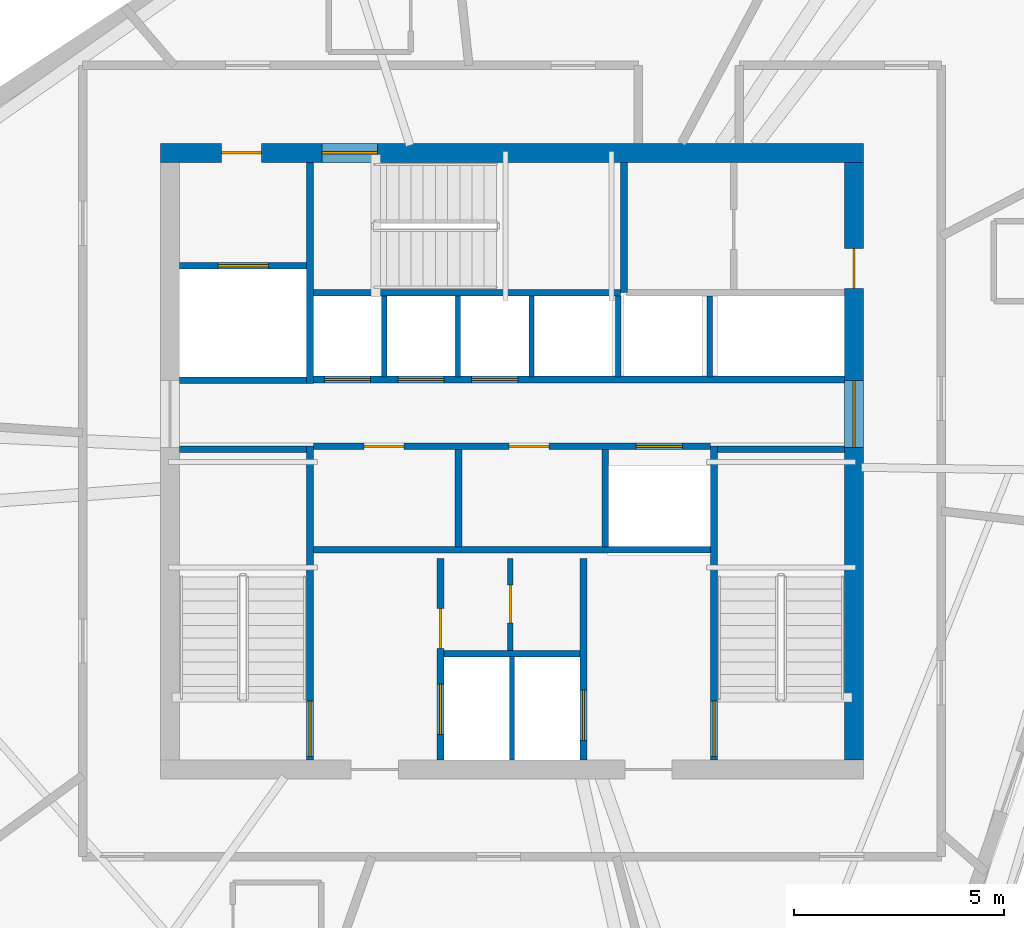
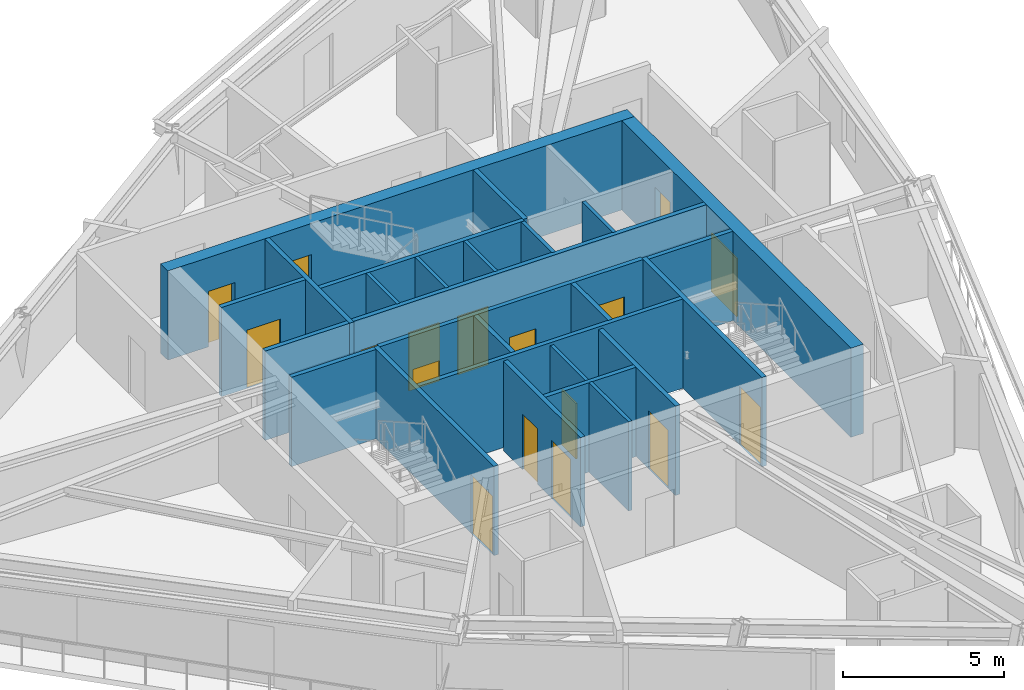
# One storey, part 9 of 14: 26 walls, 17 doors, 17 openings.
"""IFC4 building model written with IfcOpenShell, lengths in metres."""

from ifc_helpers import new_model, si_unit, direction, frame, frame_2d, origin, place, context, subcontext, project, spatial, rectangle, extrude, source, transform, mapped, material, layer, layer_set, type_object, type_shapes, element, fill, save


model = new_model("IFC4")

# Units and contexts
model_context = context("Model", 3, precision=1e-05, world=origin(), true_north=direction((0.0, 1.0)))
body_context = subcontext(model_context, "Body", "Model", "MODEL_VIEW")
ifc_project = project(units=[si_unit("LENGTHUNIT", "METRE"), si_unit("AREAUNIT", "SQUARE_METRE"), si_unit("VOLUMEUNIT", "CUBIC_METRE"), si_unit("PLANEANGLEUNIT", "RADIAN"), si_unit("MASSUNIT", "GRAM", prefix="KILO")], contexts=[model_context])

# Site, building, storey
site_placement = place(None, origin())
site = spatial("IfcSite", under=ifc_project, at=site_placement, CompositionType="ELEMENT")
building_placement = place(site_placement, origin())
building = spatial("IfcBuilding", under=site, at=building_placement, Name="Olszyna Solenne Hotel", CompositionType="ELEMENT")
storey_placement = place(building_placement, frame((0.0, 0.0, 252.5)))
storey = spatial("IfcBuildingStorey", under=building, at=storey_placement, Name="L67", CompositionType="ELEMENT", Elevation=252.5)

# Wall, openings, doors
ifc_material_1 = material(Name="Concrete C50/60", Category="concrete")
ifc_layer_1 = layer(ifc_material_1, 0.449951171875, Name="Concrete C50/60")
ifc_layer_set_1 = layer_set([ifc_layer_1], Name="Concrete C50/60")
wall_type_1 = type_object("IfcWallType", Name="WL-CR450", PredefinedType="SHEAR", material=ifc_layer_set_1)
wall_1_placement = place(storey_placement, frame((29.64990234375, 33.925048828125, 0.0), z_axis=(0.0, 0.0, 1.0), x_axis=(1.0, 0.0, 0.0)))
wall_1 = element("IfcWall", 1, at=wall_1_placement, inside=storey, type_object=wall_type_1, Name="Core shear wall WL-CR450 CRW-L67-N", PredefinedType="SHEAR", context=body_context, shape_type="SweptSolid", body=[
    extrude(rectangle(XDim=16.7001953125, YDim=0.449951171875, at=frame_2d((8.35009765625, 0.0))), origin(), (0.0, 0.0, 1.0), 3.3798828125),
])
opening_1_placement = place(wall_1_placement, frame((1.449951171875, 0.0, 0.0)))
opening_1 = element("IfcOpeningElement", 2, at=opening_1_placement, cuts=wall_1, Name="Opening SVD-L67-01", PredefinedType="OPENING", context=body_context, shape_type="SweptSolid", body=[
    extrude(rectangle(XDim=0.949951171875, YDim=2.10009765625, at=frame_2d((0.47509765625, 1.050048828125))), frame((0.0, 0.23486328125, 0.0), z_axis=(0.0, -1.0, 0.0), x_axis=(1.0, 0.0, 0.0)), (0.0, 0.0, 1.0), 0.469970703125),
])
opening_2_placement = place(wall_1_placement, frame((3.830078125, 0.0, 0.0)))
opening_2 = element("IfcOpeningElement", 3, at=opening_2_placement, cuts=wall_1, Name="Opening STD-L67-03", PredefinedType="OPENING", context=body_context, shape_type="SweptSolid", body=[
    extrude(rectangle(XDim=1.320068359375, YDim=2.199951171875, at=frame_2d((0.66015625, 1.10009765625))), frame((0.0, 0.23486328125, 0.0), z_axis=(0.0, -1.0, 0.0), x_axis=(1.0, 0.0, 0.0)), (0.0, 0.0, 1.0), 0.469970703125),
])
ifc_material_2 = material(Name="Steel S355J2", Category="steel")
door_type_1 = type_object("IfcDoorType", Name="DR-ST1", OperationType="NOTDEFINED", PredefinedType="DOOR", material=ifc_material_2)
shared_shape_1 = source(origin(), body_context, "Body", "SweptSolid", [
    extrude(rectangle(XDim=1.320068359375, YDim=2.199951171875, at=frame_2d((0.66015625, 1.10009765625))), frame((0.0, 0.02490234375, 0.0), z_axis=(0.0, -1.0, 0.0), x_axis=(1.0, 0.0, 0.0)), (0.0, 0.0, 1.0), 0.050048828125),
])
type_shapes(door_type_1, [shared_shape_1])
door_1_placement = place(opening_2_placement, origin())
door_1 = element("IfcDoor", 4, at=door_1_placement, inside=storey, type_object=door_type_1, Name="Pressurised exit stair ST3 fire door STD-L67-03", OperationType="SINGLE_SWING_RIGHT", OverallHeight=2.199951171875, OverallWidth=1.320068359375, PredefinedType="DOOR", context=body_context, shape_type="MappedRepresentation", body=[
    mapped(shared_shape_1, transform((0.0, 0.0, 0.0), x_axis=(1.0, 0.0, 0.0), y_axis=(0.0, 1.0, 0.0), z_axis=(0.0, 0.0, 1.0), scale=1.0)),
])
fill(opening_2, door_1)
door_type_2 = type_object("IfcDoorType", Name="DR-SV1", OperationType="NOTDEFINED", PredefinedType="DOOR", material=ifc_material_2)
shared_shape_2 = source(origin(), body_context, "Body", "SweptSolid", [
    extrude(rectangle(XDim=0.949951171875, YDim=2.10009765625, at=frame_2d((0.47509765625, 1.050048828125))), frame((0.0, 0.02490234375, 0.0), z_axis=(0.0, -1.0, 0.0), x_axis=(1.0, 0.0, 0.0)), (0.0, 0.0, 1.0), 0.050048828125),
])
type_shapes(door_type_2, [shared_shape_2])
door_2_placement = place(opening_1_placement, origin())
door_2 = element("IfcDoor", 5, at=door_2_placement, inside=storey, type_object=door_type_2, Name="Service lift lobby fire door SVD-L67-01", OperationType="SINGLE_SWING_LEFT", OverallHeight=2.10009765625, OverallWidth=0.949951171875, PredefinedType="DOOR", context=body_context, shape_type="MappedRepresentation", body=[
    mapped(shared_shape_2, transform((0.0, 0.0, 0.0), x_axis=(1.0, 0.0, 0.0), y_axis=(0.0, 1.0, 0.0), z_axis=(0.0, 0.0, 1.0), scale=1.0)),
])
fill(opening_1, door_2)

wall_2_placement = place(storey_placement, frame((46.125, 33.699951171875, 0.0), z_axis=(0.0, 0.0, 1.0), x_axis=(0.0, -1.0, 0.0)))
wall_2 = element("IfcWall", 6, at=wall_2_placement, inside=storey, type_object=wall_type_1, Name="Core shear wall WL-CR450 CRW-L67-E", PredefinedType="SHEAR", context=body_context, shape_type="SweptSolid", body=[
    extrude(rectangle(XDim=14.199951171875, YDim=0.449951171875, at=frame_2d((7.10009765625, 0.0))), origin(), (0.0, 0.0, 1.0), 3.3798828125),
])
opening_3_placement = place(wall_2_placement, frame((5.179931640625, 0.0, 0.0)))
opening_3 = element("IfcOpeningElement", 7, at=opening_3_placement, cuts=wall_2, Name="Opening LHD-L67-E", PredefinedType="OPENING", context=body_context, shape_type="SweptSolid", body=[
    extrude(rectangle(XDim=1.60009765625, YDim=2.199951171875, at=frame_2d((0.800048828125, 1.10009765625))), frame((0.0, 0.23486328125, 0.0), z_axis=(0.0, -1.0, 0.0), x_axis=(1.0, 0.0, 0.0)), (0.0, 0.0, 1.0), 0.469970703125),
])
opening_4_placement = place(wall_2_placement, frame((2.050048828125, 0.0, 0.0)))
opening_4 = element("IfcOpeningElement", 8, at=opening_4_placement, cuts=wall_2, Name="Opening SVD-L67-BE", PredefinedType="OPENING", context=body_context, shape_type="SweptSolid", body=[
    extrude(rectangle(XDim=0.949951171875, YDim=2.10009765625, at=frame_2d((0.47509765625, 1.050048828125))), frame((0.0, 0.23486328125, 0.0), z_axis=(0.0, -1.0, 0.0), x_axis=(1.0, 0.0, 0.0)), (0.0, 0.0, 1.0), 0.469970703125),
])
door_3_placement = place(opening_4_placement, origin())
door_3 = element("IfcDoor", 9, at=door_3_placement, inside=storey, type_object=door_type_2, Name="Housekeeping core fire door SVD-L67-BE", OperationType="SINGLE_SWING_RIGHT", OverallHeight=2.10009765625, OverallWidth=0.949951171875, PredefinedType="DOOR", context=body_context, shape_type="MappedRepresentation", body=[
    mapped(shared_shape_2, transform((0.0, 0.0, 0.0), x_axis=(1.0, 0.0, 0.0), y_axis=(0.0, 1.0, 0.0), z_axis=(0.0, 0.0, 1.0), scale=1.0)),
])
fill(opening_4, door_3)
ifc_material_3 = material(Name="Timber hardwood", Category="wood")
door_type_3 = type_object("IfcDoorType", Name="DR-CR1", OperationType="DOUBLE_DOOR_SINGLE_SWING", PredefinedType="DOOR", material=ifc_material_3)
shared_shape_3 = source(origin(), body_context, "Body", "SweptSolid", [
    extrude(rectangle(XDim=1.60009765625, YDim=2.199951171875, at=frame_2d((0.800048828125, 1.10009765625))), frame((0.0, 0.02490234375, 0.0), z_axis=(0.0, -1.0, 0.0), x_axis=(1.0, 0.0, 0.0)), (0.0, 0.0, 1.0), 0.050048828125),
])
type_shapes(door_type_3, [shared_shape_3])
door_4_placement = place(opening_3_placement, origin())
door_4 = element("IfcDoor", 10, at=door_4_placement, inside=storey, type_object=door_type_3, Name="Passenger lift lobby East fire door LHD-L67-E", OperationType="DOUBLE_DOOR_SINGLE_SWING", OverallHeight=2.199951171875, OverallWidth=1.60009765625, PredefinedType="DOOR", context=body_context, shape_type="MappedRepresentation", body=[
    mapped(shared_shape_3, transform((0.0, 0.0, 0.0), x_axis=(1.0, 0.0, 0.0), y_axis=(0.0, 1.0, 0.0), z_axis=(0.0, 0.0, 1.0), scale=1.0)),
])
fill(opening_3, door_4)

# Wall
ifc_material_4 = material(Name="Acoustic gypsum partition", Category="gypsum")
ifc_layer_2 = layer(ifc_material_4, 0.125, Name="Acoustic gypsum partition")
ifc_layer_set_2 = layer_set([ifc_layer_2], Name="Acoustic gypsum partition")
wall_type_2 = type_object("IfcWallType", Name="WL-PT125", PredefinedType="PARTITIONING", material=ifc_layer_set_2)
wall_3_placement = place(storey_placement, frame((38.0, 19.5, 0.0), z_axis=(0.0, 0.0, 1.0), x_axis=(0.0, 1.0, 0.0)))
element("IfcWall", 11, at=wall_3_placement, inside=storey, type_object=wall_type_2, Name="Core shaft compartment wall CW-L67-FFM", PredefinedType="PARTITIONING", context=body_context, shape_type="SweptSolid", body=[
    extrude(rectangle(XDim=2.4599609375, YDim=0.125, at=frame_2d((1.22998046875, 0.0))), origin(), (0.0, 0.0, 1.0), 3.3798828125),
])

# Wall, opening, door
wall_4_placement = place(storey_placement, frame((37.9599609375, 22.10009765625, 0.0), z_axis=(0.0, 0.0, 1.0), x_axis=(0.0, 1.0, 0.0)))
wall_4 = element("IfcWall", 12, at=wall_4_placement, inside=storey, type_object=wall_type_2, Name="Core shaft compartment wall CW-L67-SC1", PredefinedType="PARTITIONING", context=body_context, shape_type="SweptSolid", body=[
    extrude(rectangle(XDim=2.179931640625, YDim=0.125, at=frame_2d((1.08984375, 0.0))), origin(), (0.0, 0.0, 1.0), 3.3798828125),
])
opening_5_placement = place(wall_4_placement, frame((0.64990234375, 0.0, 0.0)))
opening_5 = element("IfcOpeningElement", 13, at=opening_5_placement, cuts=wall_4, Name="Opening SVD-L67-SC1", PredefinedType="OPENING", context=body_context, shape_type="SweptSolid", body=[
    extrude(rectangle(XDim=0.89990234375, YDim=2.10009765625, at=frame_2d((0.449951171875, 1.050048828125))), frame((0.0, 0.072509765625, 0.0), z_axis=(0.0, -1.0, 0.0), x_axis=(1.0, 0.0, 0.0)), (0.0, 0.0, 1.0), 0.14501953125),
])
door_type_4 = type_object("IfcDoorType", Name="DR-WC1", OperationType="NOTDEFINED", PredefinedType="DOOR", material=ifc_material_3)
shared_shape_4 = source(origin(), body_context, "Body", "SweptSolid", [
    extrude(rectangle(XDim=0.89990234375, YDim=2.10009765625, at=frame_2d((0.449951171875, 1.050048828125))), frame((0.0, 0.02490234375, 0.0), z_axis=(0.0, -1.0, 0.0), x_axis=(1.0, 0.0, 0.0)), (0.0, 0.0, 1.0), 0.050048828125),
])
type_shapes(door_type_4, [shared_shape_4])
door_5_placement = place(opening_5_placement, origin())
door_5 = element("IfcDoor", 14, at=door_5_placement, inside=storey, type_object=door_type_4, Name="Pantry locker door SVD-L67-SC1", OperationType="SINGLE_SWING_LEFT", OverallHeight=2.10009765625, OverallWidth=0.89990234375, PredefinedType="DOOR", context=body_context, shape_type="MappedRepresentation", body=[
    mapped(shared_shape_4, transform((0.0, 0.0, 0.0), x_axis=(1.0, 0.0, 0.0), y_axis=(0.0, 1.0, 0.0), z_axis=(0.0, 0.0, 1.0), scale=1.0)),
])
fill(opening_5, door_5)

# Walls
for number, where, z_axis, x_axis, name in (
    (15, (34.965087890625, 28.60009765625, 0.0), (0.0, 0.0, 1.0), (0.0, 1.0, 0.0), "Core shaft compartment wall CW-L67-DIVN349"),
    (16, (36.715087890625, 28.60009765625, 0.0), (0.0, 0.0, 1.0), (0.0, 1.0, 0.0), "Core shaft compartment wall CW-L67-DIVN367"),
    (17, (38.465087890625, 28.60009765625, 0.0), (0.0, 0.0, 1.0), (0.0, 1.0, 0.0), "Core shaft compartment wall CW-L67-DIVN384"),
    (18, (40.52490234375, 28.60009765625, 0.0), (0.0, 0.0, 1.0), (0.0, 1.0, 0.0), "Core shaft compartment wall CW-L67-DIVEX405"),
    (19, (42.699951171875, 28.60009765625, 0.0), (0.0, 0.0, 1.0), (0.0, 1.0, 0.0), "Core shaft compartment wall CW-L67-DIVEX427"),
):
    element("IfcWall", number, at=place(storey_placement, frame(where, z_axis=z_axis, x_axis=x_axis)), inside=storey, type_object=wall_type_2, Name=name, PredefinedType="PARTITIONING", context=body_context, shape_type="SweptSolid", body=[
        extrude(rectangle(XDim=1.919921875, YDim=0.125, at=frame_2d((0.9599609375, 0.0))), origin(), (0.0, 0.0, 1.0), 3.3798828125),
    ])

# Wall, opening, door
ifc_layer_3 = layer(ifc_material_4, 0.159912109375, Name="Acoustic gypsum partition")
ifc_layer_set_3 = layer_set([ifc_layer_3], Name="Acoustic gypsum partition")
wall_type_3 = type_object("IfcWallType", Name="WL-PT160", PredefinedType="PARTITIONING", material=ifc_layer_set_3)
wall_5_placement = place(storey_placement, frame((33.199951171875, 19.5, 0.0), z_axis=(0.0, 0.0, 1.0), x_axis=(0.0, 1.0, 0.0)))
wall_5 = element("IfcWall", 20, at=wall_5_placement, inside=storey, type_object=wall_type_3, Name="Core shaft compartment wall CW-L67-ST1E", PredefinedType="PARTITIONING", context=body_context, shape_type="SweptSolid", body=[
    extrude(rectangle(XDim=7.4599609375, YDim=0.159912109375, at=frame_2d((3.72998046875, 0.0))), origin(), (0.0, 0.0, 1.0), 3.3798828125),
])
opening_6_placement = place(wall_5_placement, frame((0.080078125, 0.0, 0.0)))
opening_6 = element("IfcOpeningElement", 21, at=opening_6_placement, cuts=wall_5, Name="Opening STD-L67-01", PredefinedType="OPENING", context=body_context, shape_type="SweptSolid", body=[
    extrude(rectangle(XDim=1.320068359375, YDim=2.199951171875, at=frame_2d((0.66015625, 1.10009765625))), frame((0.0, 0.08984375, 0.0), z_axis=(0.0, -1.0, 0.0), x_axis=(1.0, 0.0, 0.0)), (0.0, 0.0, 1.0), 0.179931640625),
])
door_6_placement = place(opening_6_placement, origin())
door_6 = element("IfcDoor", 22, at=door_6_placement, inside=storey, type_object=door_type_1, Name="Pressurised exit stair ST1 fire door STD-L67-01", OperationType="SINGLE_SWING_LEFT", OverallHeight=2.199951171875, OverallWidth=1.320068359375, PredefinedType="DOOR", context=body_context, shape_type="MappedRepresentation", body=[
    mapped(shared_shape_1, transform((0.0, 0.0, 0.0), x_axis=(1.0, 0.0, 0.0), y_axis=(0.0, 1.0, 0.0), z_axis=(0.0, 0.0, 1.0), scale=1.0)),
])
fill(opening_6, door_6)

# Wall
wall_6_placement = place(storey_placement, frame((30.10009765625, 26.8798828125, 0.0), z_axis=(0.0, 0.0, 1.0), x_axis=(1.0, 0.0, 0.0)))
element("IfcWall", 23, at=wall_6_placement, inside=storey, type_object=wall_type_3, Name="Core shaft compartment wall CW-L67-ST1N", PredefinedType="PARTITIONING", context=body_context, shape_type="SweptSolid", body=[
    extrude(rectangle(XDim=3.02001953125, YDim=0.159912109375, at=frame_2d((1.510009765625, 0.0))), origin(), (0.0, 0.0, 1.0), 3.3798828125),
])

# Wall, opening, door
wall_7_placement = place(storey_placement, frame((42.800048828125, 26.9599609375, 0.0), z_axis=(0.0, 0.0, 1.0), x_axis=(0.0, -1.0, 0.0)))
wall_7 = element("IfcWall", 24, at=wall_7_placement, inside=storey, type_object=wall_type_3, Name="Core shaft compartment wall CW-L67-ST2W", PredefinedType="PARTITIONING", context=body_context, shape_type="SweptSolid", body=[
    extrude(rectangle(XDim=7.4599609375, YDim=0.159912109375, at=frame_2d((3.72998046875, 0.0))), origin(), (0.0, 0.0, 1.0), 3.3798828125),
])
opening_7_placement = place(wall_7_placement, frame((6.06005859375, 0.0, 0.0)))
opening_7 = element("IfcOpeningElement", 25, at=opening_7_placement, cuts=wall_7, Name="Opening STD-L67-02", PredefinedType="OPENING", context=body_context, shape_type="SweptSolid", body=[
    extrude(rectangle(XDim=1.320068359375, YDim=2.199951171875, at=frame_2d((0.66015625, 1.10009765625))), frame((0.0, 0.08984375, 0.0), z_axis=(0.0, -1.0, 0.0), x_axis=(1.0, 0.0, 0.0)), (0.0, 0.0, 1.0), 0.179931640625),
])
door_7_placement = place(opening_7_placement, origin())
door_7 = element("IfcDoor", 26, at=door_7_placement, inside=storey, type_object=door_type_1, Name="Pressurised exit stair ST2 fire door STD-L67-02", OperationType="SINGLE_SWING_RIGHT", OverallHeight=2.199951171875, OverallWidth=1.320068359375, PredefinedType="DOOR", context=body_context, shape_type="MappedRepresentation", body=[
    mapped(shared_shape_1, transform((0.0, 0.0, 0.0), x_axis=(1.0, 0.0, 0.0), y_axis=(0.0, 1.0, 0.0), z_axis=(0.0, 0.0, 1.0), scale=1.0)),
])
fill(opening_7, door_7)

# Walls
wall_8_placement = place(storey_placement, frame((42.8798828125, 26.8798828125, 0.0), z_axis=(0.0, 0.0, 1.0), x_axis=(1.0, 0.0, 0.0)))
element("IfcWall", 27, at=wall_8_placement, inside=storey, type_object=wall_type_3, Name="Core shaft compartment wall CW-L67-ST2N", PredefinedType="PARTITIONING", context=body_context, shape_type="SweptSolid", body=[
    extrude(rectangle(XDim=3.02001953125, YDim=0.159912109375, at=frame_2d((1.510009765625, 0.0))), origin(), (0.0, 0.0, 1.0), 3.3798828125),
])
wall_9_placement = place(storey_placement, frame((33.280029296875, 30.60009765625, 0.0), z_axis=(0.0, 0.0, 1.0), x_axis=(1.0, 0.0, 0.0)))
element("IfcWall", 28, at=wall_9_placement, inside=storey, type_object=wall_type_3, Name="Core shaft compartment wall CW-L67-ST3S", PredefinedType="PARTITIONING", context=body_context, shape_type="SweptSolid", body=[
    extrude(rectangle(XDim=7.300048828125, YDim=0.159912109375, at=frame_2d((3.64990234375, 0.0))), origin(), (0.0, 0.0, 1.0), 3.3798828125),
])
wall_10_placement = place(storey_placement, frame((40.659912109375, 30.60009765625, 0.0), z_axis=(0.0, 0.0, 1.0), x_axis=(0.0, 1.0, 0.0)))
element("IfcWall", 29, at=wall_10_placement, inside=storey, type_object=wall_type_3, Name="Core shaft compartment wall CW-L67-ST3E", PredefinedType="PARTITIONING", context=body_context, shape_type="SweptSolid", body=[
    extrude(rectangle(XDim=3.099853515625, YDim=0.159912109375, at=frame_2d((1.5498046875, 0.0))), origin(), (0.0, 0.0, 1.0), 3.3798828125),
])

# Wall, openings, doors
wall_11_placement = place(storey_placement, frame((36.300048828125, 19.5, 0.0), z_axis=(0.0, 0.0, 1.0), x_axis=(0.0, 1.0, 0.0)))
wall_11 = element("IfcWall", 30, at=wall_11_placement, inside=storey, type_object=wall_type_3, Name="Core shaft compartment wall CW-L67-FF1W", PredefinedType="PARTITIONING", context=body_context, shape_type="SweptSolid", body=[
    extrude(rectangle(XDim=4.780029296875, YDim=0.159912109375, at=frame_2d((2.39013671875, 0.0))), origin(), (0.0, 0.0, 1.0), 3.3798828125),
])
opening_8_placement = place(wall_11_placement, frame((0.60009765625, 0.0, 0.0)))
opening_8 = element("IfcOpeningElement", 31, at=opening_8_placement, cuts=wall_11, Name="Opening LD-L67-FF1", PredefinedType="OPENING", context=body_context, shape_type="SweptSolid", body=[
    extrude(rectangle(XDim=1.199951171875, YDim=2.199951171875, at=frame_2d((0.60009765625, 1.10009765625))), frame((0.0, 0.08984375, 0.0), z_axis=(0.0, -1.0, 0.0), x_axis=(1.0, 0.0, 0.0)), (0.0, 0.0, 1.0), 0.179931640625),
])
opening_9_placement = place(wall_11_placement, frame((2.64990234375, 0.0, 0.0)))
opening_9 = element("IfcOpeningElement", 32, at=opening_9_placement, cuts=wall_11, Name="Opening SVD-L67-SMK", PredefinedType="OPENING", context=body_context, shape_type="SweptSolid", body=[
    extrude(rectangle(XDim=0.949951171875, YDim=2.10009765625, at=frame_2d((0.47509765625, 1.050048828125))), frame((0.0, 0.08984375, 0.0), z_axis=(0.0, -1.0, 0.0), x_axis=(1.0, 0.0, 0.0)), (0.0, 0.0, 1.0), 0.179931640625),
])
door_8_placement = place(opening_9_placement, origin())
door_8 = element("IfcDoor", 33, at=door_8_placement, inside=storey, type_object=door_type_2, Name="Valet and core service room door SVD-L67-SMK", OperationType="SINGLE_SWING_LEFT", OverallHeight=2.10009765625, OverallWidth=0.949951171875, PredefinedType="DOOR", context=body_context, shape_type="MappedRepresentation", body=[
    mapped(shared_shape_2, transform((0.0, 0.0, 0.0), x_axis=(1.0, 0.0, 0.0), y_axis=(0.0, 1.0, 0.0), z_axis=(0.0, 0.0, 1.0), scale=1.0)),
])
fill(opening_9, door_8)
door_type_5 = type_object("IfcDoorType", Name="LD-FF1", OperationType="DOUBLE_DOOR_SLIDING", PredefinedType="DOOR", material=ifc_material_2)
shared_shape_5 = source(origin(), body_context, "Body", "SweptSolid", [
    extrude(rectangle(XDim=1.199951171875, YDim=2.199951171875, at=frame_2d((0.60009765625, 1.10009765625))), frame((0.0, 0.02490234375, 0.0), z_axis=(0.0, -1.0, 0.0), x_axis=(1.0, 0.0, 0.0)), (0.0, 0.0, 1.0), 0.050048828125),
])
type_shapes(door_type_5, [shared_shape_5])
door_9_placement = place(opening_8_placement, origin())
door_9 = element("IfcDoor", 34, at=door_9_placement, inside=storey, type_object=door_type_5, Name="Firefighters lift FF1 sliding landing door LD-L67-FF1", OperationType="DOUBLE_DOOR_SLIDING", OverallHeight=2.199951171875, OverallWidth=1.199951171875, PredefinedType="DOOR", context=body_context, shape_type="MappedRepresentation", body=[
    mapped(shared_shape_5, transform((0.0, 0.0, 0.0), x_axis=(1.0, 0.0, 0.0), y_axis=(0.0, 1.0, 0.0), z_axis=(0.0, 0.0, 1.0), scale=1.0)),
])
fill(opening_8, door_9)

# Wall, opening, door
wall_12_placement = place(storey_placement, frame((39.699951171875, 24.280029296875, 0.0), z_axis=(0.0, 0.0, 1.0), x_axis=(0.0, -1.0, 0.0)))
wall_12 = element("IfcWall", 35, at=wall_12_placement, inside=storey, type_object=wall_type_3, Name="Core shaft compartment wall CW-L67-FF2E", PredefinedType="PARTITIONING", context=body_context, shape_type="SweptSolid", body=[
    extrude(rectangle(XDim=4.780029296875, YDim=0.159912109375, at=frame_2d((2.39013671875, 0.0))), origin(), (0.0, 0.0, 1.0), 3.3798828125),
])
opening_10_placement = place(wall_12_placement, frame((3.1201171875, 0.0, 0.0)))
opening_10 = element("IfcOpeningElement", 36, at=opening_10_placement, cuts=wall_12, Name="Opening LD-L67-FF2", PredefinedType="OPENING", context=body_context, shape_type="SweptSolid", body=[
    extrude(rectangle(XDim=1.199951171875, YDim=2.199951171875, at=frame_2d((0.60009765625, 1.10009765625))), frame((0.0, 0.08984375, 0.0), z_axis=(0.0, -1.0, 0.0), x_axis=(1.0, 0.0, 0.0)), (0.0, 0.0, 1.0), 0.179931640625),
])
door_10_placement = place(opening_10_placement, origin())
door_10 = element("IfcDoor", 37, at=door_10_placement, inside=storey, type_object=door_type_5, Name="Firefighters lift FF2 sliding landing door LD-L67-FF2", OperationType="DOUBLE_DOOR_SLIDING", OverallHeight=2.199951171875, OverallWidth=1.199951171875, PredefinedType="DOOR", context=body_context, shape_type="MappedRepresentation", body=[
    mapped(shared_shape_5, transform((0.0, 0.0, 0.0), x_axis=(1.0, 0.0, 0.0), y_axis=(0.0, 1.0, 0.0), z_axis=(0.0, 0.0, 1.0), scale=1.0)),
])
fill(opening_10, door_10)

# Walls
wall_13_placement = place(storey_placement, frame((36.3798828125, 22.02001953125, 0.0), z_axis=(0.0, 0.0, 1.0), x_axis=(1.0, 0.0, 0.0)))
element("IfcWall", 38, at=wall_13_placement, inside=storey, type_object=wall_type_3, Name="Core shaft compartment wall CW-L67-FFN", PredefinedType="PARTITIONING", context=body_context, shape_type="SweptSolid", body=[
    extrude(rectangle(XDim=3.240234375, YDim=0.159912109375, at=frame_2d((1.6201171875, 0.0))), origin(), (0.0, 0.0, 1.0), 3.3798828125),
])
wall_14_placement = place(storey_placement, frame((33.280029296875, 24.489990234375, 0.0), z_axis=(0.0, 0.0, 1.0), x_axis=(1.0, 0.0, 0.0)))
element("IfcWall", 39, at=wall_14_placement, inside=storey, type_object=wall_type_3, Name="Core shaft compartment wall CW-L67-FFBN", PredefinedType="PARTITIONING", context=body_context, shape_type="SweptSolid", body=[
    extrude(rectangle(XDim=9.43994140625, YDim=0.159912109375, at=frame_2d((4.719970703125, 0.0))), origin(), (0.0, 0.0, 1.0), 3.3798828125),
])
wall_15_placement = place(storey_placement, frame((30.10009765625, 28.52001953125, 0.0), z_axis=(0.0, 0.0, 1.0), x_axis=(1.0, 0.0, 0.0)))
element("IfcWall", 40, at=wall_15_placement, inside=storey, type_object=wall_type_3, Name="Core shaft compartment wall CW-L67-SV1S", PredefinedType="PARTITIONING", context=body_context, shape_type="SweptSolid", body=[
    extrude(rectangle(XDim=3.02001953125, YDim=0.159912109375, at=frame_2d((1.510009765625, 0.0))), origin(), (0.0, 0.0, 1.0), 3.3798828125),
])
wall_16_placement = place(storey_placement, frame((33.199951171875, 28.43994140625, 0.0), z_axis=(0.0, 0.0, 1.0), x_axis=(0.0, 1.0, 0.0)))
element("IfcWall", 41, at=wall_16_placement, inside=storey, type_object=wall_type_3, Name="Core shaft compartment wall CW-L67-SV1E", PredefinedType="PARTITIONING", context=body_context, shape_type="SweptSolid", body=[
    extrude(rectangle(XDim=5.260009765625, YDim=0.159912109375, at=frame_2d((2.6298828125, 0.0))), origin(), (0.0, 0.0, 1.0), 3.3798828125),
])

# Wall, opening, door
wall_17_placement = place(storey_placement, frame((30.10009765625, 31.239990234375, 0.0), z_axis=(0.0, 0.0, 1.0), x_axis=(1.0, 0.0, 0.0)))
wall_17 = element("IfcWall", 42, at=wall_17_placement, inside=storey, type_object=wall_type_3, Name="Core shaft compartment wall CW-L67-SV1N", PredefinedType="PARTITIONING", context=body_context, shape_type="SweptSolid", body=[
    extrude(rectangle(XDim=3.02001953125, YDim=0.159912109375, at=frame_2d((1.510009765625, 0.0))), origin(), (0.0, 0.0, 1.0), 3.3798828125),
])
opening_11_placement = place(wall_17_placement, frame((0.909912109375, 0.0, 0.0)))
opening_11 = element("IfcOpeningElement", 43, at=opening_11_placement, cuts=wall_17, Name="Opening LD-L67-SV1", PredefinedType="OPENING", context=body_context, shape_type="SweptSolid", body=[
    extrude(rectangle(XDim=1.199951171875, YDim=2.199951171875, at=frame_2d((0.60009765625, 1.10009765625))), frame((0.0, 0.08984375, 0.0), z_axis=(0.0, -1.0, 0.0), x_axis=(1.0, 0.0, 0.0)), (0.0, 0.0, 1.0), 0.179931640625),
])
door_11_placement = place(opening_11_placement, origin())
door_11 = element("IfcDoor", 44, at=door_11_placement, inside=storey, type_object=door_type_5, Name="Service lift SV1 sliding landing door LD-L67-SV1", OperationType="DOUBLE_DOOR_SLIDING", OverallHeight=2.199951171875, OverallWidth=1.199951171875, PredefinedType="DOOR", context=body_context, shape_type="MappedRepresentation", body=[
    mapped(shared_shape_5, transform((0.0, 0.0, 0.0), x_axis=(1.0, 0.0, 0.0), y_axis=(0.0, 1.0, 0.0), z_axis=(0.0, 0.0, 1.0), scale=1.0)),
])
fill(opening_11, door_11)

# Wall, openings, doors
wall_18_placement = place(storey_placement, frame((33.280029296875, 26.949951171875, 0.0), z_axis=(0.0, 0.0, 1.0), x_axis=(1.0, 0.0, 0.0)))
wall_18 = element("IfcWall", 45, at=wall_18_placement, inside=storey, type_object=wall_type_3, Name="Core shaft compartment wall CW-L67-LRS", PredefinedType="PARTITIONING", context=body_context, shape_type="SweptSolid", body=[
    extrude(rectangle(XDim=9.43994140625, YDim=0.159912109375, at=frame_2d((4.719970703125, 0.0))), origin(), (0.0, 0.0, 1.0), 3.3798828125),
])
opening_12_placement = place(wall_18_placement, frame((1.199951171875, 0.0, 0.0)))
opening_12 = element("IfcOpeningElement", 46, at=opening_12_placement, cuts=wall_18, Name="Opening SVD-L67-L71", PredefinedType="OPENING", context=body_context, shape_type="SweptSolid", body=[
    extrude(rectangle(XDim=0.949951171875, YDim=2.10009765625, at=frame_2d((0.47509765625, 1.050048828125))), frame((0.0, 0.08984375, 0.0), z_axis=(0.0, -1.0, 0.0), x_axis=(1.0, 0.0, 0.0)), (0.0, 0.0, 1.0), 0.179931640625),
])
opening_13_placement = place(wall_18_placement, frame((4.64990234375, 0.0, 0.0)))
opening_13 = element("IfcOpeningElement", 47, at=opening_13_placement, cuts=wall_18, Name="Opening SVD-L67-L72", PredefinedType="OPENING", context=body_context, shape_type="SweptSolid", body=[
    extrude(rectangle(XDim=0.949951171875, YDim=2.10009765625, at=frame_2d((0.47509765625, 1.050048828125))), frame((0.0, 0.08984375, 0.0), z_axis=(0.0, -1.0, 0.0), x_axis=(1.0, 0.0, 0.0)), (0.0, 0.0, 1.0), 0.179931640625),
])
opening_14_placement = place(wall_18_placement, frame((7.669921875, 0.0, 0.0)))
opening_14 = element("IfcOpeningElement", 48, at=opening_14_placement, cuts=wall_18, Name="Opening LD-L67-PL5", PredefinedType="OPENING", context=body_context, shape_type="SweptSolid", body=[
    extrude(rectangle(XDim=1.10009765625, YDim=2.199951171875, at=frame_2d((0.550048828125, 1.10009765625))), frame((0.0, 0.08984375, 0.0), z_axis=(0.0, -1.0, 0.0), x_axis=(1.0, 0.0, 0.0)), (0.0, 0.0, 1.0), 0.179931640625),
])
door_12_placement = place(opening_12_placement, origin())
door_12 = element("IfcDoor", 49, at=door_12_placement, inside=storey, type_object=door_type_2, Name="Recaptured core room fire door SVD-L67-L71", OperationType="SINGLE_SWING_LEFT", OverallHeight=2.10009765625, OverallWidth=0.949951171875, PredefinedType="DOOR", context=body_context, shape_type="MappedRepresentation", body=[
    mapped(shared_shape_2, transform((0.0, 0.0, 0.0), x_axis=(1.0, 0.0, 0.0), y_axis=(0.0, 1.0, 0.0), z_axis=(0.0, 0.0, 1.0), scale=1.0)),
])
fill(opening_12, door_12)
door_13_placement = place(opening_13_placement, origin())
door_13 = element("IfcDoor", 50, at=door_13_placement, inside=storey, type_object=door_type_2, Name="Recaptured core room fire door SVD-L67-L72", OperationType="SINGLE_SWING_RIGHT", OverallHeight=2.10009765625, OverallWidth=0.949951171875, PredefinedType="DOOR", context=body_context, shape_type="MappedRepresentation", body=[
    mapped(shared_shape_2, transform((0.0, 0.0, 0.0), x_axis=(1.0, 0.0, 0.0), y_axis=(0.0, 1.0, 0.0), z_axis=(0.0, 0.0, 1.0), scale=1.0)),
])
fill(opening_13, door_13)
door_type_6 = type_object("IfcDoorType", Name="LD-P1", OperationType="DOUBLE_DOOR_SLIDING", PredefinedType="DOOR", material=ifc_material_2)
shared_shape_6 = source(origin(), body_context, "Body", "SweptSolid", [
    extrude(rectangle(XDim=1.10009765625, YDim=2.199951171875, at=frame_2d((0.550048828125, 1.10009765625))), frame((0.0, 0.02490234375, 0.0), z_axis=(0.0, -1.0, 0.0), x_axis=(1.0, 0.0, 0.0)), (0.0, 0.0, 1.0), 0.050048828125),
])
type_shapes(door_type_6, [shared_shape_6])
door_14_placement = place(opening_14_placement, origin())
door_14 = element("IfcDoor", 51, at=door_14_placement, inside=storey, type_object=door_type_6, Name="Passenger lift PL5 sliding landing door LD-L67-PL5", OperationType="DOUBLE_DOOR_SLIDING", OverallHeight=2.199951171875, OverallWidth=1.10009765625, PredefinedType="DOOR", context=body_context, shape_type="MappedRepresentation", body=[
    mapped(shared_shape_6, transform((0.0, 0.0, 0.0), x_axis=(1.0, 0.0, 0.0), y_axis=(0.0, 1.0, 0.0), z_axis=(0.0, 0.0, 1.0), scale=1.0)),
])
fill(opening_14, door_14)

# Walls
for number, where, z_axis, x_axis, name in (
    (52, (36.72998046875, 24.56005859375, 0.0), (0.0, 0.0, 1.0), (0.0, 1.0, 0.0), "Core shaft compartment wall CW-L67-LV7DIV1"),
    (53, (40.215087890625, 24.56005859375, 0.0), (0.0, 0.0, 1.0), (0.0, 1.0, 0.0), "Core shaft compartment wall CW-L67-LV7DIV2"),
):
    element("IfcWall", number, at=place(storey_placement, frame(where, z_axis=z_axis, x_axis=x_axis)), inside=storey, type_object=wall_type_3, Name=name, PredefinedType="PARTITIONING", context=body_context, shape_type="SweptSolid", body=[
        extrude(rectangle(XDim=2.31005859375, YDim=0.159912109375, at=frame_2d((1.155029296875, 0.0))), origin(), (0.0, 0.0, 1.0), 3.3798828125),
    ])

# Wall, openings, doors
wall_19_placement = place(storey_placement, frame((33.280029296875, 28.5400390625, 0.0), z_axis=(0.0, 0.0, 1.0), x_axis=(1.0, 0.0, 0.0)))
wall_19 = element("IfcWall", 54, at=wall_19_placement, inside=storey, type_object=wall_type_3, Name="Core shaft compartment wall CW-L67-LRN", PredefinedType="PARTITIONING", context=body_context, shape_type="SweptSolid", body=[
    extrude(rectangle(XDim=12.619873046875, YDim=0.159912109375, at=frame_2d((6.31005859375, 0.0))), origin(), (0.0, 0.0, 1.0), 3.3798828125),
])
opening_15_placement = place(wall_19_placement, frame((0.260009765625, 0.0, 0.0)))
opening_15 = element("IfcOpeningElement", 55, at=opening_15_placement, cuts=wall_19, Name="Opening LD-L67-PL6", PredefinedType="OPENING", context=body_context, shape_type="SweptSolid", body=[
    extrude(rectangle(XDim=1.10009765625, YDim=2.199951171875, at=frame_2d((0.550048828125, 1.10009765625))), frame((0.0, 0.08984375, 0.0), z_axis=(0.0, -1.0, 0.0), x_axis=(1.0, 0.0, 0.0)), (0.0, 0.0, 1.0), 0.179931640625),
])
opening_16_placement = place(wall_19_placement, frame((2.010009765625, 0.0, 0.0)))
opening_16 = element("IfcOpeningElement", 56, at=opening_16_placement, cuts=wall_19, Name="Opening LD-L67-PL7", PredefinedType="OPENING", context=body_context, shape_type="SweptSolid", body=[
    extrude(rectangle(XDim=1.10009765625, YDim=2.199951171875, at=frame_2d((0.550048828125, 1.10009765625))), frame((0.0, 0.08984375, 0.0), z_axis=(0.0, -1.0, 0.0), x_axis=(1.0, 0.0, 0.0)), (0.0, 0.0, 1.0), 0.179931640625),
])
opening_17_placement = place(wall_19_placement, frame((3.760009765625, 0.0, 0.0)))
opening_17 = element("IfcOpeningElement", 57, at=opening_17_placement, cuts=wall_19, Name="Opening LD-L67-PL8", PredefinedType="OPENING", context=body_context, shape_type="SweptSolid", body=[
    extrude(rectangle(XDim=1.10009765625, YDim=2.199951171875, at=frame_2d((0.550048828125, 1.10009765625))), frame((0.0, 0.08984375, 0.0), z_axis=(0.0, -1.0, 0.0), x_axis=(1.0, 0.0, 0.0)), (0.0, 0.0, 1.0), 0.179931640625),
])
door_15_placement = place(opening_15_placement, origin())
door_15 = element("IfcDoor", 58, at=door_15_placement, inside=storey, type_object=door_type_6, Name="Passenger lift PL6 sliding landing door LD-L67-PL6", OperationType="DOUBLE_DOOR_SLIDING", OverallHeight=2.199951171875, OverallWidth=1.10009765625, PredefinedType="DOOR", context=body_context, shape_type="MappedRepresentation", body=[
    mapped(shared_shape_6, transform((0.0, 0.0, 0.0), x_axis=(1.0, 0.0, 0.0), y_axis=(0.0, 1.0, 0.0), z_axis=(0.0, 0.0, 1.0), scale=1.0)),
])
fill(opening_15, door_15)
door_16_placement = place(opening_16_placement, origin())
door_16 = element("IfcDoor", 59, at=door_16_placement, inside=storey, type_object=door_type_6, Name="Passenger lift PL7 sliding landing door LD-L67-PL7", OperationType="DOUBLE_DOOR_SLIDING", OverallHeight=2.199951171875, OverallWidth=1.10009765625, PredefinedType="DOOR", context=body_context, shape_type="MappedRepresentation", body=[
    mapped(shared_shape_6, transform((0.0, 0.0, 0.0), x_axis=(1.0, 0.0, 0.0), y_axis=(0.0, 1.0, 0.0), z_axis=(0.0, 0.0, 1.0), scale=1.0)),
])
fill(opening_16, door_16)
door_17_placement = place(opening_17_placement, origin())
door_17 = element("IfcDoor", 60, at=door_17_placement, inside=storey, type_object=door_type_6, Name="Passenger lift PL8 sliding landing door LD-L67-PL8", OperationType="DOUBLE_DOOR_SLIDING", OverallHeight=2.199951171875, OverallWidth=1.10009765625, PredefinedType="DOOR", context=body_context, shape_type="MappedRepresentation", body=[
    mapped(shared_shape_6, transform((0.0, 0.0, 0.0), x_axis=(1.0, 0.0, 0.0), y_axis=(0.0, 1.0, 0.0), z_axis=(0.0, 0.0, 1.0), scale=1.0)),
])
fill(opening_17, door_17)

save(model, "model.ifc")
